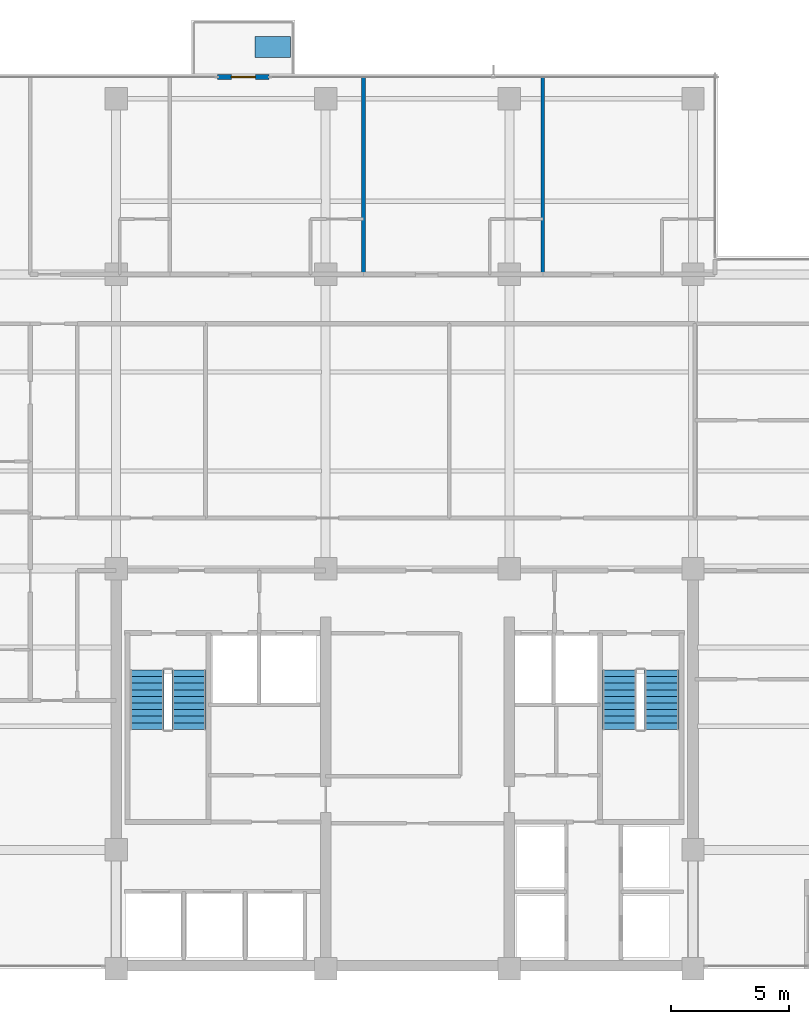
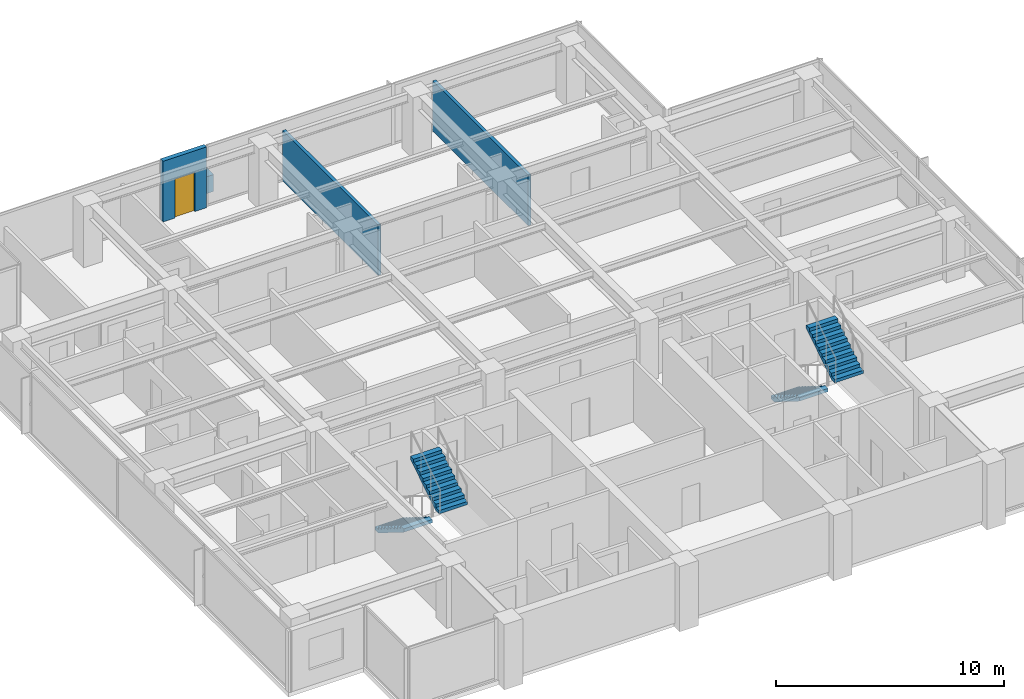
# One storey, part 10 of 14: 4 stair flights, 3 walls, 1 discrete accessory, 1 door, 1 opening, 2 elements without a shape of their own.
"""IFC4 building model written with IfcOpenShell, lengths in metres."""

from ifc_helpers import new_model, si_unit, direction, frame, frame_2d, origin, place, context, subcontext, project, spatial, polyline, rectangle, outline, extrude, material, layer, layer_set, type_object, element, fill, aggregate, save


model = new_model("IFC4")

# Units and contexts
model_context = context("Model", 3, precision=1e-05, world=origin(), true_north=direction((0.0, 1.0)))
body_context = subcontext(model_context, "Body", "Model", "MODEL_VIEW")
ifc_project = project(units=[si_unit("LENGTHUNIT", "METRE"), si_unit("AREAUNIT", "SQUARE_METRE"), si_unit("VOLUMEUNIT", "CUBIC_METRE"), si_unit("PLANEANGLEUNIT", "RADIAN"), si_unit("MASSUNIT", "GRAM", prefix="KILO")], contexts=[model_context])

# Site, building, storey
site_placement = place(None, origin())
site = spatial("IfcSite", under=ifc_project, at=site_placement, CompositionType="ELEMENT")
building_placement = place(site_placement, origin())
building = spatial("IfcBuilding", under=site, at=building_placement, Name="Qalmaran Belvedere Hotel", CompositionType="ELEMENT")
storey_placement = place(building_placement, frame((0.0, 0.0, 207.39990234375)))
storey = spatial("IfcBuildingStorey", under=building, at=storey_placement, Name="L52", CompositionType="ELEMENT", Elevation=207.39990234375)

# Wall, opening, door
ifc_material_1 = material(Name="Anodised Bronze Cladding")
ifc_layer_1 = layer(ifc_material_1, 0.22509765625, Name="Anodised Bronze Cladding")
ifc_layer_set_1 = layer_set([ifc_layer_1], Name="Anodised Bronze Cladding")
wall_type_1 = type_object("IfcWallType", Name="WL-BAL-PORT-225", PredefinedType="SOLIDWALL", material=ifc_layer_set_1)
wall_placement = place(storey_placement, frame((24.60009765625, 41.3798828125, 0.0), z_axis=(0.0, 0.0, 1.0), x_axis=(1.0, 0.0, 0.0)))
wall = element("IfcWall", 1, at=wall_placement, inside=storey, type_object=wall_type_1, Name="L52 Tree Balcony Door Portal", PredefinedType="SOLIDWALL", context=body_context, shape_type="SweptSolid", body=[
    extrude(rectangle(XDim=2.199951171875, YDim=0.22509765625, at=frame_2d((1.10009765625, 0.0))), origin(), (0.0, 0.0, 1.0), 3.260009765625),
])
opening_placement = place(wall_placement, frame((0.590087890625, 0.0, 0.0)))
opening = element("IfcOpeningElement", 2, at=opening_placement, cuts=wall, Name="Opening BL-102", PredefinedType="OPENING", context=body_context, shape_type="SweptSolid", body=[
    extrude(rectangle(XDim=1.02001953125, YDim=2.10009765625, at=frame_2d((0.510009765625, 1.050048828125))), frame((0.0, 0.12255859375, 0.0), z_axis=(0.0, -1.0, 0.0), x_axis=(1.0, 0.0, 0.0)), (0.0, 0.0, 1.0), 0.2451171875),
])
ifc_material_2 = material(Name="Anodised Bronze Aluminium", Category="aluminium")
door_type = type_object("IfcDoorType", Name="DR-BAL-1020X2100", OperationType="NOTDEFINED", PredefinedType="DOOR", material=ifc_material_2)
door_placement = place(opening_placement, origin())
door = element("IfcDoor", 3, at=door_placement, inside=storey, type_object=door_type, Name="L52 Planted Tree Balcony Door", OperationType="SINGLE_SWING_LEFT", OverallHeight=2.10009765625, OverallWidth=1.02001953125, PredefinedType="DOOR", context=body_context, shape_type="SweptSolid", body=[
    extrude(rectangle(XDim=1.02001953125, YDim=2.10009765625, at=frame_2d((0.510009765625, 1.050048828125))), frame((0.0, 0.02490234375, 0.0), z_axis=(0.0, -1.0, 0.0), x_axis=(1.0, 0.0, 0.0)), (0.0, 0.0, 1.0), 0.050048828125),
])
fill(opening, door)

# Walls
ifc_material_3 = material(Name="Gypsum Stud Partition")
ifc_layer_2 = layer(ifc_material_3, 0.159912109375, Name="Gypsum Stud Partition")
ifc_layer_set_2 = layer_set([ifc_layer_2], Name="Gypsum Stud Partition")
wall_type_2 = type_object("IfcWallType", Name="WL-INT-160-EI60", PredefinedType="PARTITIONING", material=ifc_layer_set_2)
for number, where, z_axis, x_axis, name in (
    (4, (30.8046875, 33.0, 0.0), (0.0, 0.0, 1.0), (0.0, 1.0, 0.0), "L52 Partition WL-L52-NUR01"),
    (5, (38.419677734375, 33.0, 0.0), (0.0, 0.0, 1.0), (0.0, 1.0, 0.0), "L52 Partition WL-L52-NUR02"),
):
    element("IfcWall", number, at=place(storey_placement, frame(where, z_axis=z_axis, x_axis=x_axis)), inside=storey, type_object=wall_type_2, Name=name, PredefinedType="PARTITIONING", context=body_context, shape_type="SweptSolid", body=[
        extrude(rectangle(XDim=8.3798828125, YDim=0.159912109375, at=frame_2d((4.18994140625, 0.0))), origin(), (0.0, 0.0, 1.0), 2.7060546875),
    ])

# Stair, stair flights
ifc_material_4 = material(Name="Concrete C40/50", Category="concrete")
stair_type_1 = type_object("IfcStairType", Name="STR-ST-1-1450-R1750", PredefinedType="HALF_TURN_STAIR", material=ifc_material_4)
stair_1_placement = place(storey_placement, origin())
stair_1 = element("IfcStair", 6, at=stair_1_placement, inside=storey, type_object=stair_type_1, Name="L52 West Core Exit Stair ST-1", PredefinedType="HALF_TURN_STAIR")
ifc_layer_3 = layer(ifc_material_4, 0.14990234375, Name="Concrete C40/50")
ifc_layer_set_3 = layer_set([ifc_layer_3], Name="Concrete C40/50")
stair_flight_type_1 = type_object("IfcStairFlightType", Name="STF-ST-1-1450-R1750", PredefinedType="STRAIGHT", material=ifc_layer_set_3)
stair_flight_1_placement = place(storey_placement, frame((21.60498046875, 16.18994140625, 0.0), z_axis=(0.0, 0.0, 1.0), x_axis=(0.0, -1.0, 0.0)))
stair_flight_1 = element("IfcStairFlight", 7, at=stair_flight_1_placement, type_object=stair_flight_type_1, Name="ST-1 flight 1", NumberOfRisers=10, NumberOfTreads=9, PredefinedType="STRAIGHT", RiserHeight=0.175, TreadLength=0.28, context=body_context, shape_type="SweptSolid", body=[
    extrude(outline(polyline([(0.0, 0.0), (0.0, 0.175048828125), (0.280029296875, 0.175048828125), (0.280029296875, 0.35009765625), (0.56005859375, 0.35009765625), (0.56005859375, 0.52490234375), (0.840087890625, 0.52490234375), (0.840087890625, 0.699951171875), (1.1201171875, 0.699951171875), (1.1201171875, 0.875), (1.39990234375, 0.875), (1.39990234375, 1.050048828125), (1.679931640625, 1.050048828125), (1.679931640625, 1.22509765625), (1.9599609375, 1.22509765625), (1.9599609375, 1.39990234375), (2.239990234375, 1.39990234375), (2.239990234375, 1.574951171875), (2.52001953125, 1.574951171875), (2.52001953125, 1.75), (2.52001953125, 1.398193359375), (0.28271484375, 0.0), (0.0, 0.0)])), frame((0.0, 0.72509765625, 0.0), z_axis=(0.0, -1.0, 0.0), x_axis=(1.0, 0.0, 0.0)), (0.0, 0.0, 1.0), 1.449951171875),
])
stair_flight_2_placement = place(storey_placement, frame((23.39501953125, 13.669921875, 1.75), z_axis=(0.0, 0.0, 1.0), x_axis=(0.0, 1.0, 0.0)))
stair_flight_2 = element("IfcStairFlight", 8, at=stair_flight_2_placement, type_object=stair_flight_type_1, Name="ST-1 flight 2", NumberOfRisers=10, NumberOfTreads=9, PredefinedType="STRAIGHT", RiserHeight=0.175, TreadLength=0.28, context=body_context, shape_type="SweptSolid", body=[
    extrude(outline(polyline([(0.0, 0.0), (0.0, 0.175048828125), (0.280029296875, 0.175048828125), (0.280029296875, 0.35009765625), (0.56005859375, 0.35009765625), (0.56005859375, 0.52490234375), (0.840087890625, 0.52490234375), (0.840087890625, 0.699951171875), (1.1201171875, 0.699951171875), (1.1201171875, 0.875), (1.39990234375, 0.875), (1.39990234375, 1.050048828125), (1.679931640625, 1.050048828125), (1.679931640625, 1.22509765625), (1.9599609375, 1.22509765625), (1.9599609375, 1.39990234375), (2.239990234375, 1.39990234375), (2.239990234375, 1.574951171875), (2.52001953125, 1.574951171875), (2.52001953125, 1.75), (2.52001953125, 1.398193359375), (0.28271484375, 0.0), (0.0, 0.0)])), frame((0.0, 0.72509765625, 0.0), z_axis=(0.0, -1.0, 0.0), x_axis=(1.0, 0.0, 0.0)), (0.0, 0.0, 1.0), 1.449951171875),
])
aggregate(stair_1, [stair_flight_1, stair_flight_2])

stair_type_2 = type_object("IfcStairType", Name="STR-ST-2-1450-R1750", PredefinedType="HALF_TURN_STAIR", material=ifc_material_4)
stair_2_placement = place(storey_placement, origin())
stair_2 = element("IfcStair", 9, at=stair_2_placement, inside=storey, type_object=stair_type_2, Name="L52 East Core Exit Stair ST-2", PredefinedType="HALF_TURN_STAIR")
ifc_layer_4 = layer(ifc_material_4, 0.14990234375, Name="Concrete C40/50")
ifc_layer_set_4 = layer_set([ifc_layer_4], Name="Concrete C40/50")
stair_flight_type_2 = type_object("IfcStairFlightType", Name="STF-ST-2-1450-R1750", PredefinedType="STRAIGHT", material=ifc_layer_set_4)
stair_flight_3_placement = place(storey_placement, frame((41.68505859375, 16.18994140625, 0.0), z_axis=(0.0, 0.0, 1.0), x_axis=(0.0, -1.0, 0.0)))
stair_flight_3 = element("IfcStairFlight", 10, at=stair_flight_3_placement, type_object=stair_flight_type_2, Name="ST-2 flight 1", NumberOfRisers=10, NumberOfTreads=9, PredefinedType="STRAIGHT", RiserHeight=0.175, TreadLength=0.28, context=body_context, shape_type="SweptSolid", body=[
    extrude(outline(polyline([(0.0, 0.0), (0.0, 0.175048828125), (0.280029296875, 0.175048828125), (0.280029296875, 0.35009765625), (0.56005859375, 0.35009765625), (0.56005859375, 0.52490234375), (0.840087890625, 0.52490234375), (0.840087890625, 0.699951171875), (1.1201171875, 0.699951171875), (1.1201171875, 0.875), (1.39990234375, 0.875), (1.39990234375, 1.050048828125), (1.679931640625, 1.050048828125), (1.679931640625, 1.22509765625), (1.9599609375, 1.22509765625), (1.9599609375, 1.39990234375), (2.239990234375, 1.39990234375), (2.239990234375, 1.574951171875), (2.52001953125, 1.574951171875), (2.52001953125, 1.75), (2.52001953125, 1.398193359375), (0.28271484375, 0.0), (0.0, 0.0)])), frame((0.0, 0.72509765625, 0.0), z_axis=(0.0, -1.0, 0.0), x_axis=(1.0, 0.0, 0.0)), (0.0, 0.0, 1.0), 1.449951171875),
])
stair_flight_4_placement = place(storey_placement, frame((43.47509765625, 13.669921875, 1.75), z_axis=(0.0, 0.0, 1.0), x_axis=(0.0, 1.0, 0.0)))
stair_flight_4 = element("IfcStairFlight", 11, at=stair_flight_4_placement, type_object=stair_flight_type_2, Name="ST-2 flight 2", NumberOfRisers=10, NumberOfTreads=9, PredefinedType="STRAIGHT", RiserHeight=0.175, TreadLength=0.28, context=body_context, shape_type="SweptSolid", body=[
    extrude(outline(polyline([(0.0, 0.0), (0.0, 0.175048828125), (0.280029296875, 0.175048828125), (0.280029296875, 0.35009765625), (0.56005859375, 0.35009765625), (0.56005859375, 0.52490234375), (0.840087890625, 0.52490234375), (0.840087890625, 0.699951171875), (1.1201171875, 0.699951171875), (1.1201171875, 0.875), (1.39990234375, 0.875), (1.39990234375, 1.050048828125), (1.679931640625, 1.050048828125), (1.679931640625, 1.22509765625), (1.9599609375, 1.22509765625), (1.9599609375, 1.39990234375), (2.239990234375, 1.39990234375), (2.239990234375, 1.574951171875), (2.52001953125, 1.574951171875), (2.52001953125, 1.75), (2.52001953125, 1.398193359375), (0.28271484375, 0.0), (0.0, 0.0)])), frame((0.0, 0.72509765625, 0.0), z_axis=(0.0, -1.0, 0.0), x_axis=(1.0, 0.0, 0.0)), (0.0, 0.0, 1.0), 1.449951171875),
])
aggregate(stair_2, [stair_flight_3, stair_flight_4])

# Discrete accessory
discrete_accessory_type = type_object("IfcDiscreteAccessoryType", Name="PLN-BAL-1500", PredefinedType="USERDEFINED", material=ifc_material_4)
discrete_accessory_placement = place(storey_placement, origin())
element("IfcDiscreteAccessory", 12, at=discrete_accessory_placement, inside=storey, type_object=discrete_accessory_type, Name="L52 Sky Tree Planter", ObjectType="PLANTER", PredefinedType="USERDEFINED", context=body_context, shape_type="SweptSolid", body=[
    extrude(outline(polyline([(26.199951171875, 42.199951171875), (27.699951171875, 42.199951171875), (27.699951171875, 43.10009765625), (26.199951171875, 43.10009765625), (26.199951171875, 42.199951171875)])), origin(), (0.0, 0.0, 1.0), 0.900146484375),
])

save(model, "model.ifc")
